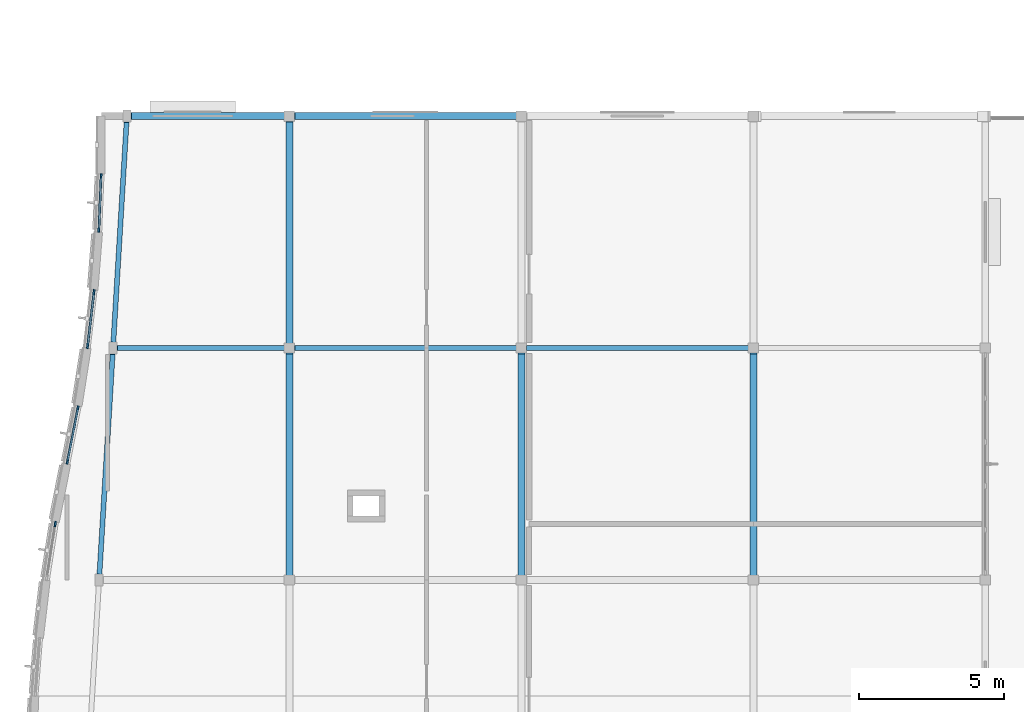
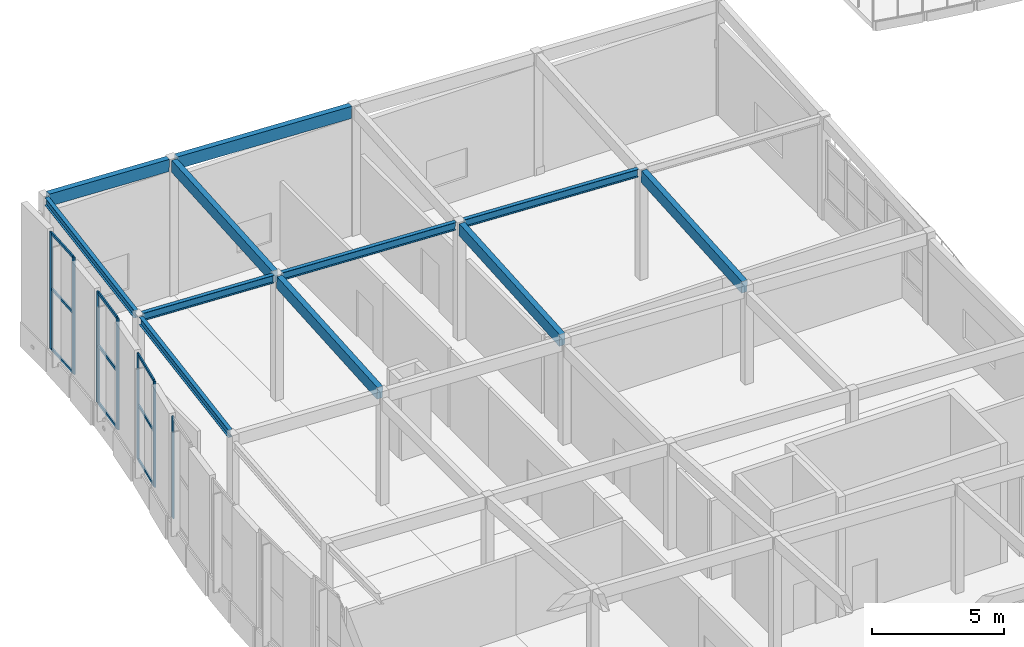
# One storey, part 7 of 52: 16 members, 11 beams, 4 elements without a shape of their own.
"""IFC4 building model written with IfcOpenShell, lengths in metres."""

import ifcopenshell
import ifcopenshell.guid

model = None  # the IFC model being written
_history = None  # IfcOwnerHistory: only IFC2X3 demands one
_inside = {}  # id of a spatial element -> (the spatial element, [elements in it])
_under = {}  # id of a project, library or spatial element -> (it, [spatial elements below it])
_declared = {}  # id of a project -> (the project, [libraries it declares])
_typed = {}  # id of a type object -> (the type object, [elements of that type])
_made_of = {}  # id of a material, layer set ... -> (it, [elements and type objects made of it])


def new_model(schema):
    """Start an empty IFC model of exactly this schema.

    Asked for "IFC4X3", IfcOpenShell would pick the latest addendum, in which some entities
    have other attributes; the version numbers below select the first issue.
    IFC2X3 requires an IfcOwnerHistory on every rooted entity: one is made here for all.
    """
    global model, _history
    if schema == "IFC4X3":
        model = ifcopenshell.file(schema_version=(4, 3, 0, 0))
    else:
        model = ifcopenshell.file(schema=schema)
    _inside.clear()
    _under.clear()
    _declared.clear()
    _typed.clear()
    _made_of.clear()
    _history = None
    if model.schema == "IFC2X3":
        org = make("IfcOrganization", Name="unknown")
        user = make(
            "IfcPersonAndOrganization",
            ThePerson=make("IfcPerson", FamilyName="unknown"),
            TheOrganization=org,
        )
        app = make(
            "IfcApplication",
            ApplicationDeveloper=org,
            Version="unknown",
            ApplicationFullName="unknown",
            ApplicationIdentifier="unknown",
        )
        _history = make(
            "IfcOwnerHistory",
            OwningUser=user,
            OwningApplication=app,
            ChangeAction="ADDED",
            CreationDate=0,
        )
    return model


def make(cls, **values):
    """One entity of the class cls with the attributes given. An attribute that is None is left unset."""
    return model.create_entity(
        cls, **{name: value for name, value in values.items() if value is not None}
    )


def rooted(cls, **values):
    """An entity with a GlobalId (a new one), such as an element, a storey or a relation."""
    return make(cls, GlobalId=ifcopenshell.guid.new(), OwnerHistory=_history, **values)


def si_unit(unit_type, name, prefix=None):
    """IfcSIUnit, for example si_unit("LENGTHUNIT", "METRE", prefix="MILLI")."""
    return make("IfcSIUnit", UnitType=unit_type, Prefix=prefix, Name=name)


def assignment(units):
    """IfcUnitAssignment: the units of a project."""
    return None if units is None else make("IfcUnitAssignment", Units=units)


def point(xyz):
    """IfcCartesianPoint."""
    return None if xyz is None else make("IfcCartesianPoint", Coordinates=xyz)


def direction(xyz):
    """IfcDirection."""
    return None if xyz is None else make("IfcDirection", DirectionRatios=xyz)


def frame(location, z_axis=None, x_axis=None):
    """IfcAxis2Placement3D, a coordinate frame: its origin and axes. An axis left out is left unset."""
    return make(
        "IfcAxis2Placement3D",
        Location=point(location),
        Axis=direction(z_axis),
        RefDirection=direction(x_axis),
    )


def frame_2d(location, x_axis=None):
    """IfcAxis2Placement2D, a coordinate frame in the plane: its origin and x axis."""
    return make(
        "IfcAxis2Placement2D", Location=point(location), RefDirection=direction(x_axis)
    )


def origin():
    """The frame at (0, 0, 0) with its axes left unset."""
    return frame((0.0, 0.0, 0.0))


def origin_2d():
    """The frame at (0, 0) in the plane with its x axis left unset."""
    return frame_2d((0.0, 0.0))


def place(relative_to, where):
    """IfcLocalPlacement: puts the frame where relative to a parent placement (None: the world)."""
    return make(
        "IfcLocalPlacement", PlacementRelTo=relative_to, RelativePlacement=where
    )


def context(
    kind, dimensions, precision=None, world=None, true_north=None, identifier=None
):
    """IfcGeometricRepresentationContext, for example the 3D "Model" context."""
    return make(
        "IfcGeometricRepresentationContext",
        ContextIdentifier=identifier,
        ContextType=kind,
        CoordinateSpaceDimension=dimensions,
        Precision=precision,
        WorldCoordinateSystem=world,
        TrueNorth=true_north,
    )


def subcontext(parent, identifier, kind, view, scale=None):
    """IfcGeometricRepresentationSubContext, for example "Body" below "Model"."""
    return make(
        "IfcGeometricRepresentationSubContext",
        ContextIdentifier=identifier,
        ContextType=kind,
        ParentContext=parent,
        TargetScale=scale,
        TargetView=view,
    )


def project(units=None, contexts=None):
    """IfcProject with its units and contexts."""
    return rooted(
        "IfcProject",
        Name="project",
        RepresentationContexts=contexts,
        UnitsInContext=assignment(units),
    )


def spatial(cls, under=None, at=None, **own):
    """A site, building, storey or space (cls), placed at a placement, below another one or the project."""
    s = rooted(cls, ObjectPlacement=at, **own)
    if under is not None:
        _under.setdefault(under.id(), (under, []))[1].append(s)
    return s


def profile(cls, at=None, kind="AREA", **sizes):
    """A parametric profile (cls). Its sizes go by their IFC names, for example OverallWidth=200.0."""
    return make(cls, ProfileType=kind, Position=at, **sizes)


def rectangle(**sizes):
    """IfcRectangleProfileDef."""
    return profile("IfcRectangleProfileDef", **sizes)


def i_section(**sizes):
    """IfcIShapeProfileDef."""
    return profile("IfcIShapeProfileDef", **sizes)


def extrude(swept, where, along, depth):
    """IfcExtrudedAreaSolid: the profile swept, set in the frame where, extruded along a direction by depth."""
    return make(
        "IfcExtrudedAreaSolid",
        SweptArea=swept,
        Position=where,
        ExtrudedDirection=direction(along),
        Depth=depth,
    )


def shape(context_of_items, identifier, shape_type, items):
    """IfcShapeRepresentation: the items that make up one representation, for example the "Body"."""
    return make(
        "IfcShapeRepresentation",
        ContextOfItems=context_of_items,
        RepresentationIdentifier=identifier,
        RepresentationType=shape_type,
        Items=items,
    )


def material(Name=None, Category=None):
    """IfcMaterial."""
    return make("IfcMaterial", Name=Name, Category=Category)


def layer(
    of_material, thickness, ventilated=None, Name=None, Category=None, Priority=None
):
    """IfcMaterialLayer: one layer of a wall or slab, of a material (None: an air gap)."""
    return make(
        "IfcMaterialLayer",
        Material=of_material,
        LayerThickness=thickness,
        IsVentilated=ventilated,
        Name=Name,
        Category=Category,
        Priority=Priority,
    )


def layer_set(layers, Name=None):
    """IfcMaterialLayerSet."""
    return make("IfcMaterialLayerSet", MaterialLayers=layers, LayerSetName=Name)


def material_profile(
    of_material, cross_section, Name=None, Category=None, Priority=None
):
    """IfcMaterialProfile: a cross section and its material."""
    return make(
        "IfcMaterialProfile",
        Name=Name,
        Material=of_material,
        Profile=cross_section,
        Priority=Priority,
        Category=Category,
    )


def profile_set(profiles, Name=None, composite=None):
    """IfcMaterialProfileSet."""
    return make(
        "IfcMaterialProfileSet",
        Name=Name,
        MaterialProfiles=profiles,
        CompositeProfile=composite,
    )


def made_of(thing, what):
    """Note that an element or type object is made of a material, layer set ...; save() writes the relation."""
    if what is not None:
        _made_of.setdefault(what.id(), (what, []))[1].append(thing)
    return thing


def type_object(cls, material=None, **own):
    """A type object (cls), such as IfcWallType, which elements share."""
    return made_of(rooted(cls, **own), material)


def element(
    cls,
    number,
    at=None,
    inside=None,
    cuts=None,
    type_object=None,
    material=None,
    context=None,
    identifier="Body",
    shape_type=None,
    held_by="IfcProductDefinitionShape",
    body=None,
    shapes=None,
    **own,
):
    """One element of the class cls, such as IfcWall. Its Tag is "e" and its number.

    at: its placement. inside: the storey or other place that contains it. cuts: it is an
    opening in that element (IfcRelVoidsElement). A single representation is given by context,
    identifier, shape_type and body (its items); several are given by shapes. held_by: the class
    of the entity that holds the representations. save() writes the other relations.
    """
    e = rooted(cls, Tag="e%d" % number, ObjectPlacement=at, **own)
    if body is not None:
        shapes = [shape(context, identifier, shape_type, body)]
    if shapes is not None:
        e.Representation = make(held_by, Representations=shapes)
    if inside is not None:
        _inside.setdefault(inside.id(), (inside, []))[1].append(e)
    if cuts is not None:
        rooted(
            "IfcRelVoidsElement", RelatingBuildingElement=cuts, RelatedOpeningElement=e
        )
    if type_object is not None:
        _typed.setdefault(type_object.id(), (type_object, []))[1].append(e)
    return made_of(e, material)


def aggregate(whole, parts):
    """IfcRelAggregates: a whole, such as a stair, and the parts it consists of."""
    return rooted("IfcRelAggregates", RelatingObject=whole, RelatedObjects=parts)


def save(model, path):
    """Write the relations noted so far, then the file.

    IfcRelAggregates (storeys below a building ...), IfcRelContainedInSpatialStructure (elements
    in a storey), IfcRelDefinesByType, IfcRelAssociatesMaterial and IfcRelDeclares: one each for
    every whole, place, type object, material and project.
    """
    for whole, parts in _under.values():
        aggregate(whole, parts)
    for where, things in _inside.values():
        rooted(
            "IfcRelContainedInSpatialStructure",
            RelatedElements=things,
            RelatingStructure=where,
        )
    for kind, things in _typed.values():
        rooted("IfcRelDefinesByType", RelatedObjects=things, RelatingType=kind)
    for what, things in _made_of.values():
        rooted("IfcRelAssociatesMaterial", RelatedObjects=things, RelatingMaterial=what)
    for by, libraries in _declared.values():
        rooted("IfcRelDeclares", RelatingContext=by, RelatedDefinitions=libraries)
    model.write(path)


model = new_model("IFC4")

# Units and contexts
model_context = context("Model", 3, precision=1e-05, world=origin(), true_north=direction((0.0, 1.0)))
body_context = subcontext(model_context, "Body", "Model", "MODEL_VIEW")
ifc_project = project(units=[si_unit("LENGTHUNIT", "METRE"), si_unit("AREAUNIT", "SQUARE_METRE"), si_unit("VOLUMEUNIT", "CUBIC_METRE"), si_unit("PLANEANGLEUNIT", "RADIAN"), si_unit("MASSUNIT", "GRAM", prefix="KILO")], contexts=[model_context])

# Site, building, storey
site_placement = place(None, origin())
site = spatial("IfcSite", under=ifc_project, at=site_placement, CompositionType="ELEMENT")
building_placement = place(site_placement, origin())
building = spatial("IfcBuilding", under=site, at=building_placement, Name="Tonlespit Floodbar School", CompositionType="ELEMENT")
storey_placement = place(building_placement, frame((0.0, 0.0, 12.300048828125)))
storey = spatial("IfcBuildingStorey", under=building, at=storey_placement, Name="L03", CompositionType="ELEMENT", Elevation=12.300048828125)

# Beams
ifc_material_1 = material(Name="Glulam GL28h", Category="wood")
ifc_material_profile_1 = material_profile(ifc_material_1, rectangle(XDim=0.239990234375, YDim=0.56005859375, at=origin_2d()), Name="GL 240x560")
ifc_profile_set_1 = profile_set([ifc_material_profile_1], Name="Glulam GL28h")
beam_type_1 = type_object("IfcBeamType", Name="Beam_GL_240x560", PredefinedType="BEAM", material=ifc_profile_set_1)
beam_1_placement = place(storey_placement, frame((6.5400390625, 96.0, 6.2900390625), z_axis=(0.999092497588, 0.0, -0.042593206768), x_axis=(0.0, 1.0, 0.0)))
element("IfcBeam", 1, at=beam_1_placement, inside=storey, type_object=beam_type_1, Name="L03 girder 1163", PredefinedType="BEAM", context=body_context, shape_type="SweptSolid", body=[
    extrude(rectangle(XDim=0.239990234375, YDim=0.56005859375, at=origin_2d()), origin(), (0.0, 0.0, 1.0), 5.284912109375),
])
beam_2_placement = place(storey_placement, frame((12.179931640625, 96.0, 6.049560546875), z_axis=(0.999092664052, 0.0, -0.042589301906), x_axis=(0.0, 1.0, 0.0)))
element("IfcBeam", 2, at=beam_2_placement, inside=storey, type_object=beam_type_1, Name="L03 girder 1164", PredefinedType="BEAM", context=body_context, shape_type="SweptSolid", body=[
    extrude(rectangle(XDim=0.239990234375, YDim=0.56005859375, at=origin_2d()), origin(), (0.0, 0.0, 1.0), 7.64697265625),
])
for number, where, z_axis, x_axis, name in (
    (3, (12.0, 80.179931640625, 4.9716796875), (0.0, 0.99765478818, 0.068446501892), (-1.0, 0.0, 0.0), "L03 girder 1206"),
    (4, (12.0, 88.179931640625, 5.520751953125), (0.0, 0.99765478818, 0.068446501892), (-1.0, 0.0, 0.0), "L03 girder 1207"),
    (5, (20.0, 80.179931640625, 4.63037109375), (0.0, 0.997652610719, 0.068478232499), (-1.0, 0.0, 0.0), "L03 girder 1211"),
    (6, (28.0, 80.179931640625, 4.289306640625), (0.0, 0.997652610719, 0.068478232499), (-1.0, 0.0, 0.0), "L03 girder 1215"),
):
    element("IfcBeam", number, at=place(storey_placement, frame(where, z_axis=z_axis, x_axis=x_axis)), inside=storey, type_object=beam_type_1, Name=name, PredefinedType="BEAM", context=body_context, shape_type="SweptSolid", body=[
        extrude(rectangle(XDim=0.239990234375, YDim=0.56005859375, at=origin_2d()), origin(), (0.0, 0.0, 1.0), 7.658203125),
    ])

# Curtain wall, members
ifc_material_2 = material(Name="Anodised Aluminium", Category="aluminium")
ifc_layer_1 = layer(ifc_material_2, 0.159912109375)
ifc_layer_set_1 = layer_set([ifc_layer_1], Name="Anodised Aluminium")
curtain_wall_type_1 = type_object("IfcCurtainWallType", Name="CurtainWall_1950x4900", PredefinedType="NOTDEFINED", material=ifc_layer_set_1)
curtain_wall_1_placement = place(storey_placement, origin())
curtain_wall_1 = element("IfcCurtainWall", 7, at=curtain_wall_1_placement, inside=storey, type_object=curtain_wall_type_1, Name="L03 unitised curtain wall 0306", PredefinedType="NOTDEFINED")
ifc_material_profile_2 = material_profile(ifc_material_2, rectangle(XDim=0.06494140625, YDim=0.14990234375, at=origin_2d()), Name="ALU M65x150")
ifc_profile_set_2 = profile_set([ifc_material_profile_2], Name="Anodised Aluminium")
member_type_1 = type_object("IfcMemberType", Name="CW_Mullion_65x150", PredefinedType="MULLION", material=ifc_profile_set_2)
member_1_placement = place(storey_placement, frame((4.343994140625, 84.0712890625, 0.949951171875), z_axis=(0.0, 0.0, 1.0), x_axis=(-0.981347015734, 0.192244726092, 0.0)))
member_1 = element("IfcMember", 8, at=member_1_placement, type_object=member_type_1, Name="CW-45 mullion 1", PredefinedType="MULLION", context=body_context, shape_type="SweptSolid", body=[
    extrude(rectangle(XDim=0.06494140625, YDim=0.14990234375, at=origin_2d()), origin(), (0.0, 0.0, 1.0), 4.9208984375),
])
member_2_placement = place(storey_placement, frame((4.707763671875, 85.9287109375, 0.949951171875), z_axis=(0.0, 0.0, 1.0), x_axis=(-0.981347015734, 0.192244726092, 0.0)))
member_2 = element("IfcMember", 9, at=member_2_placement, type_object=member_type_1, Name="CW-45 mullion 2", PredefinedType="MULLION", context=body_context, shape_type="SweptSolid", body=[
    extrude(rectangle(XDim=0.06494140625, YDim=0.14990234375, at=origin_2d()), origin(), (0.0, 0.0, 1.0), 4.9208984375),
])

ifc_layer_2 = layer(ifc_material_2, 0.159912109375)
ifc_layer_set_2 = layer_set([ifc_layer_2], Name="Anodised Aluminium")
curtain_wall_type_2 = type_object("IfcCurtainWallType", Name="CurtainWall_1900x5400", PredefinedType="NOTDEFINED", material=ifc_layer_set_2)
curtain_wall_2_placement = place(storey_placement, origin())
curtain_wall_2 = element("IfcCurtainWall", 10, at=curtain_wall_2_placement, inside=storey, type_object=curtain_wall_type_2, Name="L03 unitised curtain wall 0308", PredefinedType="NOTDEFINED")
member_3_placement = place(storey_placement, frame((5.43212890625, 92.072509765625, 0.949951171875), z_axis=(0.0, 0.0, 1.0), x_axis=(-0.999169480615, 0.040747380387, 0.0)))
member_3 = element("IfcMember", 11, at=member_3_placement, type_object=member_type_1, Name="CW-47 mullion 1", PredefinedType="MULLION", context=body_context, shape_type="SweptSolid", body=[
    extrude(rectangle(XDim=0.06494140625, YDim=0.14990234375, at=origin_2d()), origin(), (0.0, 0.0, 1.0), 5.423095703125),
])
member_4_placement = place(storey_placement, frame((5.507568359375, 93.927490234375, 0.949951171875), z_axis=(0.0, 0.0, 1.0), x_axis=(-0.999169480615, 0.040747380387, 0.0)))
member_4 = element("IfcMember", 12, at=member_4_placement, type_object=member_type_1, Name="CW-47 mullion 2", PredefinedType="MULLION", context=body_context, shape_type="SweptSolid", body=[
    extrude(rectangle(XDim=0.06494140625, YDim=0.14990234375, at=origin_2d()), origin(), (0.0, 0.0, 1.0), 5.423095703125),
])

# Curtain wall, member
ifc_layer_3 = layer(ifc_material_2, 0.159912109375)
ifc_layer_set_3 = layer_set([ifc_layer_3], Name="Anodised Aluminium")
curtain_wall_type_3 = type_object("IfcCurtainWallType", Name="CurtainWall_1950x4700", PredefinedType="NOTDEFINED", material=ifc_layer_set_3)
curtain_wall_3_placement = place(storey_placement, origin())
curtain_wall_3 = element("IfcCurtainWall", 13, at=curtain_wall_3_placement, inside=storey, type_object=curtain_wall_type_3, Name="L03 unitised curtain wall 0305", PredefinedType="NOTDEFINED")
ifc_material_profile_3 = material_profile(ifc_material_2, rectangle(XDim=0.06494140625, YDim=0.179931640625, at=origin_2d()), Name="ALU M65x180")
ifc_profile_set_3 = profile_set([ifc_material_profile_3], Name="Anodised Aluminium")
member_type_2 = type_object("IfcMemberType", Name="CW_Mullion_65x180", PredefinedType="MULLION", material=ifc_profile_set_3)
member_5_placement = place(storey_placement, frame((3.927001953125, 81.928466796875, 0.949951171875), z_axis=(0.0, 0.0, 1.0), x_axis=(-0.987961482869, 0.154700059367, 0.0)))
member_5 = element("IfcMember", 14, at=member_5_placement, type_object=member_type_2, Name="CW-44 mullion 2", PredefinedType="MULLION", context=body_context, shape_type="SweptSolid", body=[
    extrude(rectangle(XDim=0.06494140625, YDim=0.179931640625, at=origin_2d()), origin(), (0.0, 0.0, 1.0), 4.676513671875),
])
aggregate(curtain_wall_3, [member_5])

# Curtain wall, members
ifc_layer_4 = layer(ifc_material_2, 0.159912109375)
ifc_layer_set_4 = layer_set([ifc_layer_4], Name="Anodised Aluminium")
curtain_wall_type_4 = type_object("IfcCurtainWallType", Name="CurtainWall_1950x5150", PredefinedType="NOTDEFINED", material=ifc_layer_set_4)
curtain_wall_4_placement = place(storey_placement, origin())
curtain_wall_4 = element("IfcCurtainWall", 15, at=curtain_wall_4_placement, inside=storey, type_object=curtain_wall_type_4, Name="L03 unitised curtain wall 0307", PredefinedType="NOTDEFINED")
member_6_placement = place(storey_placement, frame((5.04345703125, 88.072021484375, 0.949951171875), z_axis=(0.0, 0.0, 1.0), x_axis=(-0.993135771716, 0.116967255837, 0.0)))
member_6 = element("IfcMember", 16, at=member_6_placement, type_object=member_type_2, Name="CW-46 mullion 1", PredefinedType="MULLION", context=body_context, shape_type="SweptSolid", body=[
    extrude(rectangle(XDim=0.06494140625, YDim=0.179931640625, at=origin_2d()), origin(), (0.0, 0.0, 1.0), 5.165283203125),
])
member_7_placement = place(storey_placement, frame((5.26220703125, 89.927978515625, 0.949951171875), z_axis=(0.0, 0.0, 1.0), x_axis=(-0.993135771716, 0.116967255837, 0.0)))
member_7 = element("IfcMember", 17, at=member_7_placement, type_object=member_type_2, Name="CW-46 mullion 2", PredefinedType="MULLION", context=body_context, shape_type="SweptSolid", body=[
    extrude(rectangle(XDim=0.06494140625, YDim=0.179931640625, at=origin_2d()), origin(), (0.0, 0.0, 1.0), 5.165283203125),
])

# Member
ifc_material_profile_4 = material_profile(ifc_material_2, rectangle(XDim=0.06494140625, YDim=0.1201171875, at=origin_2d()), Name="ALU T65x120")
ifc_profile_set_4 = profile_set([ifc_material_profile_4], Name="Anodised Aluminium")
member_type_3 = type_object("IfcMemberType", Name="CW_Transom_65x120", PredefinedType="USERDEFINED", material=ifc_profile_set_4)
member_8_placement = place(storey_placement, frame((4.35009765625, 84.10302734375, 0.982421875), z_axis=(0.192313591783, 0.981333522517, 0.0), x_axis=(-0.981333522517, 0.192313591783, 0.0)))
member_8 = element("IfcMember", 18, at=member_8_placement, type_object=member_type_3, Name="CW-45 transom 1.1", ObjectType="TRANSOM", PredefinedType="USERDEFINED", context=body_context, shape_type="SweptSolid", body=[
    extrude(rectangle(XDim=0.06494140625, YDim=0.1201171875, at=origin_2d()), origin(), (0.0, 0.0, 1.0), 1.828125),
])

member_9_placement = place(storey_placement, frame((4.35009765625, 84.10302734375, 3.5087890625), z_axis=(0.192313591783, 0.981333522517, 0.0), x_axis=(-0.981333522517, 0.192313591783, 0.0)))
member_9 = element("IfcMember", 19, at=member_9_placement, type_object=member_type_3, Name="CW-45 transom 1.2", ObjectType="TRANSOM", PredefinedType="USERDEFINED", context=body_context, shape_type="SweptSolid", body=[
    extrude(rectangle(XDim=0.06494140625, YDim=0.1201171875, at=origin_2d()), origin(), (0.0, 0.0, 1.0), 1.828125),
])

member_10_placement = place(storey_placement, frame((4.35009765625, 84.10302734375, 5.83837890625), z_axis=(0.192313591783, 0.981333522517, 0.0), x_axis=(-0.981333522517, 0.192313591783, 0.0)))
member_10 = element("IfcMember", 20, at=member_10_placement, type_object=member_type_3, Name="CW-45 transom 1.3", ObjectType="TRANSOM", PredefinedType="USERDEFINED", context=body_context, shape_type="SweptSolid", body=[
    extrude(rectangle(XDim=0.06494140625, YDim=0.1201171875, at=origin_2d()), origin(), (0.0, 0.0, 1.0), 1.828125),
])

aggregate(curtain_wall_1, [member_1, member_2, member_8, member_9, member_10])

member_11_placement = place(storey_placement, frame((5.433349609375, 92.10498046875, 0.982421875), z_axis=(0.040746274984, 0.999169525694, 0.0), x_axis=(-0.999169525694, 0.040746274984, 0.0)))
member_11 = element("IfcMember", 21, at=member_11_placement, type_object=member_type_3, Name="CW-47 transom 1.1", ObjectType="TRANSOM", PredefinedType="USERDEFINED", context=body_context, shape_type="SweptSolid", body=[
    extrude(rectangle(XDim=0.06494140625, YDim=0.1201171875, at=origin_2d()), origin(), (0.0, 0.0, 1.0), 1.79150390625),
])

member_12_placement = place(storey_placement, frame((5.433349609375, 92.10498046875, 3.77001953125), z_axis=(0.040746274984, 0.999169525694, 0.0), x_axis=(-0.999169525694, 0.040746274984, 0.0)))
member_12 = element("IfcMember", 22, at=member_12_placement, type_object=member_type_3, Name="CW-47 transom 1.2", ObjectType="TRANSOM", PredefinedType="USERDEFINED", context=body_context, shape_type="SweptSolid", body=[
    extrude(rectangle(XDim=0.06494140625, YDim=0.1201171875, at=origin_2d()), origin(), (0.0, 0.0, 1.0), 1.79150390625),
])

member_13_placement = place(storey_placement, frame((5.433349609375, 92.10498046875, 6.340576171875), z_axis=(0.040746274984, 0.999169525694, 0.0), x_axis=(-0.999169525694, 0.040746274984, 0.0)))
member_13 = element("IfcMember", 23, at=member_13_placement, type_object=member_type_3, Name="CW-47 transom 1.3", ObjectType="TRANSOM", PredefinedType="USERDEFINED", context=body_context, shape_type="SweptSolid", body=[
    extrude(rectangle(XDim=0.06494140625, YDim=0.1201171875, at=origin_2d()), origin(), (0.0, 0.0, 1.0), 1.79150390625),
])

aggregate(curtain_wall_2, [member_3, member_4, member_11, member_12, member_13])

ifc_material_profile_5 = material_profile(ifc_material_2, rectangle(XDim=0.06494140625, YDim=0.139892578125, at=origin_2d()), Name="ALU T65x140")
ifc_profile_set_5 = profile_set([ifc_material_profile_5], Name="Anodised Aluminium")
member_type_4 = type_object("IfcMemberType", Name="CW_Transom_65x140", PredefinedType="USERDEFINED", material=ifc_profile_set_5)
member_14_placement = place(storey_placement, frame((5.04736328125, 88.104248046875, 0.982421875), z_axis=(0.116935478324, 0.993139513819, 0.0), x_axis=(-0.993139513819, 0.116935478324, 0.0)))
member_14 = element("IfcMember", 24, at=member_14_placement, type_object=member_type_4, Name="CW-46 transom 1.1", ObjectType="TRANSOM", PredefinedType="USERDEFINED", context=body_context, shape_type="SweptSolid", body=[
    extrude(rectangle(XDim=0.06494140625, YDim=0.139892578125, at=origin_2d()), origin(), (0.0, 0.0, 1.0), 1.803955078125),
])

member_15_placement = place(storey_placement, frame((5.04736328125, 88.104248046875, 3.635986328125), z_axis=(0.116935478324, 0.993139513819, 0.0), x_axis=(-0.993139513819, 0.116935478324, 0.0)))
member_15 = element("IfcMember", 25, at=member_15_placement, type_object=member_type_4, Name="CW-46 transom 1.2", ObjectType="TRANSOM", PredefinedType="USERDEFINED", context=body_context, shape_type="SweptSolid", body=[
    extrude(rectangle(XDim=0.06494140625, YDim=0.139892578125, at=origin_2d()), origin(), (0.0, 0.0, 1.0), 1.803955078125),
])

member_16_placement = place(storey_placement, frame((5.04736328125, 88.104248046875, 6.082763671875), z_axis=(0.116935478324, 0.993139513819, 0.0), x_axis=(-0.993139513819, 0.116935478324, 0.0)))
member_16 = element("IfcMember", 26, at=member_16_placement, type_object=member_type_4, Name="CW-46 transom 1.3", ObjectType="TRANSOM", PredefinedType="USERDEFINED", context=body_context, shape_type="SweptSolid", body=[
    extrude(rectangle(XDim=0.06494140625, YDim=0.139892578125, at=origin_2d()), origin(), (0.0, 0.0, 1.0), 1.803955078125),
])

aggregate(curtain_wall_4, [member_6, member_7, member_14, member_15, member_16])

# Beams
ifc_material_3 = material(Name="Steel S355", Category="steel")
ifc_material_profile_6 = material_profile(ifc_material_3, i_section(OverallWidth=0.169921875, OverallDepth=0.360107421875, WebThickness=0.008056640625, FlangeThickness=0.0126953125, at=origin_2d()), Name="IPE 360")
ifc_profile_set_6 = profile_set([ifc_material_profile_6], Name="Steel S355")
beam_type_2 = type_object("IfcBeamType", Name="Spandrel_STL_IPE360", PredefinedType="SPANDREL", material=ifc_profile_set_6)
beam_3_placement = place(storey_placement, frame((6.06005859375, 88.0, 5.861572265625), z_axis=(0.999092162927, 0.0, -0.042601056072), x_axis=(0.0, 1.0, 0.0)))
element("IfcBeam", 27, at=beam_3_placement, inside=storey, type_object=beam_type_2, Name="L03 girder 1159", PredefinedType="SPANDREL", context=body_context, shape_type="SweptSolid", body=[
    extrude(i_section(OverallWidth=0.169921875, OverallDepth=0.360107421875, WebThickness=0.008056640625, FlangeThickness=0.0126953125, at=origin_2d()), origin(), (0.0, 0.0, 1.0), 5.76513671875),
])
for number, where, z_axis, x_axis, name in (
    (28, (12.179931640625, 88.0, 5.6005859375), (0.999092664052, 0.0, -0.042589301906), (0.0, 1.0, 0.0), "L03 girder 1160"),
    (29, (20.179931640625, 88.0, 5.259521484375), (0.999091305073, 0.0, -0.042621169945), (0.0, 1.0, 0.0), "L03 girder 1161"),
):
    element("IfcBeam", number, at=place(storey_placement, frame(where, z_axis=z_axis, x_axis=x_axis)), inside=storey, type_object=beam_type_2, Name=name, PredefinedType="SPANDREL", context=body_context, shape_type="SweptSolid", body=[
        extrude(i_section(OverallWidth=0.169921875, OverallDepth=0.360107421875, WebThickness=0.008056640625, FlangeThickness=0.0126953125, at=origin_2d()), origin(), (0.0, 0.0, 1.0), 7.64697265625),
    ])
for number, where, z_axis, x_axis, name in (
    (30, (5.45263671875, 80.209716796875, 5.35302734375), (0.059762520489, 0.99604200815, 0.065793306239), (-0.998204845466, 0.059892290728, 0.0), "L03 splayed edge spandrel 1246"),
    (31, (5.9326171875, 88.209716796875, 5.88134765625), (0.059762394326, 0.996039905437, 0.065825245925), (-0.998204845466, 0.059892290728, 0.0), "L03 splayed edge spandrel 1247"),
):
    element("IfcBeam", number, at=place(storey_placement, frame(where, z_axis=z_axis, x_axis=x_axis)), inside=storey, type_object=beam_type_2, Name=name, PredefinedType="SPANDREL", context=body_context, shape_type="SweptSolid", body=[
        extrude(i_section(OverallWidth=0.169921875, OverallDepth=0.360107421875, WebThickness=0.008056640625, FlangeThickness=0.0126953125, at=origin_2d()), origin(), (0.0, 0.0, 1.0), 7.610595703125),
    ])

save(model, "model.ifc")
